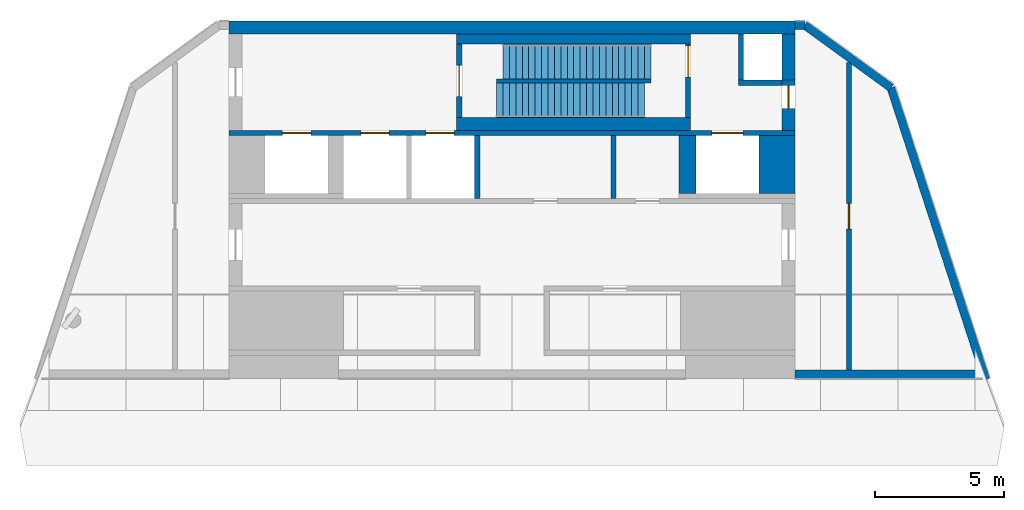
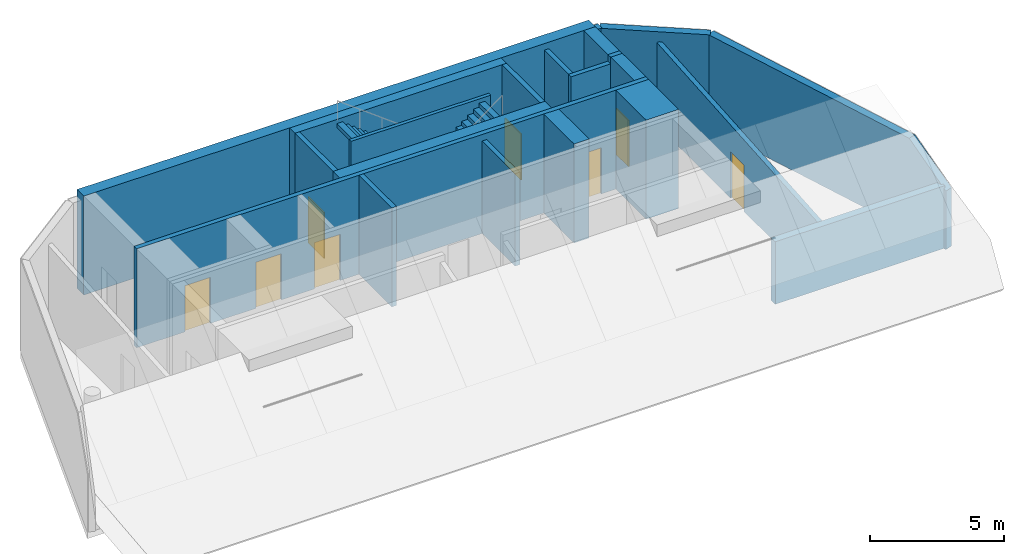
# One storey, part 2 of 3: 21 walls, 8 doors, 2 stair flights, 8 openings, 2 elements without a shape of their own.
"""IFC4 building model written with IfcOpenShell, lengths in metres."""

from ifc_helpers import new_model, si_unit, direction, frame, frame_2d, origin, place, context, subcontext, project, spatial, polyline, rectangle, outline, extrude, material, layer, layer_set, type_object, element, fill, aggregate, save


model = new_model("IFC4")

# Units and contexts
model_context = context("Model", 3, precision=1e-05, world=origin(), true_north=direction((0.0, 1.0)))
body_context = subcontext(model_context, "Body", "Model", "MODEL_VIEW")
ifc_project = project(units=[si_unit("LENGTHUNIT", "METRE"), si_unit("AREAUNIT", "SQUARE_METRE"), si_unit("VOLUMEUNIT", "CUBIC_METRE"), si_unit("PLANEANGLEUNIT", "RADIAN"), si_unit("MASSUNIT", "GRAM", prefix="KILO")], contexts=[model_context])

# Site, building, storey
site_placement = place(None, origin())
site = spatial("IfcSite", under=ifc_project, at=site_placement, CompositionType="ELEMENT")
building_placement = place(site_placement, origin())
building = spatial("IfcBuilding", under=site, at=building_placement, Name="White Candle Pilgrim Tower", CompositionType="ELEMENT")
storey_placement = place(building_placement, frame((0.0, 0.0, 346.699951171875)))
storey = spatial("IfcBuildingStorey", under=building, at=storey_placement, Name="L81", CompositionType="ELEMENT", Elevation=346.699951171875)

# Wall
ifc_material_1 = material(Name="Concrete C40/50", Category="concrete")
ifc_layer_1 = layer(ifc_material_1, 1.39990234375)
ifc_layer_set_1 = layer_set([ifc_layer_1], Name="Core wall 1400 mm Concrete C40/50")
wall_type_1 = type_object("IfcWallType", Name="Core wall 1400 mm Concrete C40/50", PredefinedType="SHEAR", material=ifc_layer_set_1)
wall_1_placement = place(storey_placement, frame((80.300048828125, 81.300048828125, 0.0), z_axis=(0.0, 0.0, 1.0), x_axis=(0.0, 1.0, 0.0)))
element("IfcWall", 1, at=wall_1_placement, inside=storey, type_object=wall_type_1, Name="WL-L81-C22", PredefinedType="SHEAR", context=body_context, shape_type="SweptSolid", body=[
    extrude(rectangle(XDim=2.25, YDim=1.39990234375, at=frame_2d((1.125, 0.0))), origin(), (0.0, 0.0, 1.0), 4.5),
])

# Wall, openings, doors
ifc_layer_2 = layer(ifc_material_1, 0.199951171875)
ifc_layer_set_2 = layer_set([ifc_layer_2], Name="Core wall 200 mm Concrete C40/50")
wall_type_2 = type_object("IfcWallType", Name="Core wall 200 mm Concrete C40/50", PredefinedType="SHEAR", material=ifc_layer_set_2)
wall_2_placement = place(storey_placement, frame((59.0, 83.64990234375, 0.0), z_axis=(0.0, 0.0, 1.0), x_axis=(1.0, 0.0, 0.0)))
wall_2 = element("IfcWall", 2, at=wall_2_placement, inside=storey, type_object=wall_type_2, Name="WL-L81-C23", PredefinedType="SHEAR", context=body_context, shape_type="SweptSolid", body=[
    extrude(rectangle(XDim=22.0, YDim=0.199951171875, at=frame_2d((11.0, 0.0))), origin(), (0.0, 0.0, 1.0), 4.5),
])
opening_1_placement = place(wall_2_placement, frame((5.125, 0.0, 0.0)))
opening_1 = element("IfcOpeningElement", 3, at=opening_1_placement, cuts=wall_2, Name="Opening L81-007", PredefinedType="OPENING", context=body_context, shape_type="SweptSolid", body=[
    extrude(rectangle(XDim=1.10009765625, YDim=2.10009765625, at=frame_2d((0.550048828125, 1.050048828125))), frame((0.0, 0.10986328125, 0.0), z_axis=(0.0, -1.0, 0.0), x_axis=(1.0, 0.0, 0.0)), (0.0, 0.0, 1.0), 0.219970703125),
])
opening_2_placement = place(wall_2_placement, frame((7.64990234375, 0.0, 0.0)))
opening_2 = element("IfcOpeningElement", 4, at=opening_2_placement, cuts=wall_2, Name="Opening L81-008", PredefinedType="OPENING", context=body_context, shape_type="SweptSolid", body=[
    extrude(rectangle(XDim=1.10009765625, YDim=2.10009765625, at=frame_2d((0.550048828125, 1.050048828125))), frame((0.0, 0.10986328125, 0.0), z_axis=(0.0, -1.0, 0.0), x_axis=(1.0, 0.0, 0.0)), (0.0, 0.0, 1.0), 0.219970703125),
])
opening_3_placement = place(wall_2_placement, frame((18.77490234375, 0.0, 0.0)))
opening_3 = element("IfcOpeningElement", 5, at=opening_3_placement, cuts=wall_2, Name="Opening L81-009", PredefinedType="OPENING", context=body_context, shape_type="SweptSolid", body=[
    extrude(rectangle(XDim=1.199951171875, YDim=2.10009765625, at=frame_2d((0.60009765625, 1.050048828125))), frame((0.0, 0.10986328125, 0.0), z_axis=(0.0, -1.0, 0.0), x_axis=(1.0, 0.0, 0.0)), (0.0, 0.0, 1.0), 0.219970703125),
])
opening_4_placement = place(wall_2_placement, frame((2.074951171875, 0.0, 0.0)))
opening_4 = element("IfcOpeningElement", 6, at=opening_4_placement, cuts=wall_2, Name="Opening L81-010", PredefinedType="OPENING", context=body_context, shape_type="SweptSolid", body=[
    extrude(rectangle(XDim=1.10009765625, YDim=2.10009765625, at=frame_2d((0.550048828125, 1.050048828125))), frame((0.0, 0.10986328125, 0.0), z_axis=(0.0, -1.0, 0.0), x_axis=(1.0, 0.0, 0.0)), (0.0, 0.0, 1.0), 0.219970703125),
])
ifc_material_2 = material(Name="Stainless steel", Category="steel")
door_type_1 = type_object("IfcDoorType", Name="Lift landing door 1100 x 2100 EI 60", OperationType="DOUBLE_DOOR_SLIDING", PredefinedType="DOOR", material=ifc_material_2)
door_1_placement = place(opening_1_placement, origin())
door_1 = element("IfcDoor", 7, at=door_1_placement, inside=storey, type_object=door_type_1, Name="Door L81-007", OperationType="DOUBLE_DOOR_SLIDING", OverallHeight=2.10009765625, OverallWidth=1.10009765625, PredefinedType="DOOR", context=body_context, shape_type="SweptSolid", body=[
    extrude(rectangle(XDim=1.10009765625, YDim=2.10009765625, at=frame_2d((0.550048828125, 1.050048828125))), frame((0.0, 0.02490234375, 0.0), z_axis=(0.0, -1.0, 0.0), x_axis=(1.0, 0.0, 0.0)), (0.0, 0.0, 1.0), 0.050048828125),
])
fill(opening_1, door_1)
door_2_placement = place(opening_2_placement, origin())
door_2 = element("IfcDoor", 8, at=door_2_placement, inside=storey, type_object=door_type_1, Name="Door L81-008", OperationType="DOUBLE_DOOR_SLIDING", OverallHeight=2.10009765625, OverallWidth=1.10009765625, PredefinedType="DOOR", context=body_context, shape_type="SweptSolid", body=[
    extrude(rectangle(XDim=1.10009765625, YDim=2.10009765625, at=frame_2d((0.550048828125, 1.050048828125))), frame((0.0, 0.02490234375, 0.0), z_axis=(0.0, -1.0, 0.0), x_axis=(1.0, 0.0, 0.0)), (0.0, 0.0, 1.0), 0.050048828125),
])
fill(opening_2, door_2)
door_3_placement = place(opening_4_placement, origin())
door_3 = element("IfcDoor", 9, at=door_3_placement, inside=storey, type_object=door_type_1, Name="Door L81-010", OperationType="DOUBLE_DOOR_SLIDING", OverallHeight=2.10009765625, OverallWidth=1.10009765625, PredefinedType="DOOR", context=body_context, shape_type="SweptSolid", body=[
    extrude(rectangle(XDim=1.10009765625, YDim=2.10009765625, at=frame_2d((0.550048828125, 1.050048828125))), frame((0.0, 0.02490234375, 0.0), z_axis=(0.0, -1.0, 0.0), x_axis=(1.0, 0.0, 0.0)), (0.0, 0.0, 1.0), 0.050048828125),
])
fill(opening_4, door_3)
door_type_2 = type_object("IfcDoorType", Name="Lift landing door 1200 x 2100 E 60", OperationType="DOUBLE_DOOR_SLIDING", PredefinedType="DOOR", material=ifc_material_2)
door_4_placement = place(opening_3_placement, origin())
door_4 = element("IfcDoor", 10, at=door_4_placement, inside=storey, type_object=door_type_2, Name="Door L81-009", OperationType="DOUBLE_DOOR_SLIDING", OverallHeight=2.10009765625, OverallWidth=1.199951171875, PredefinedType="DOOR", context=body_context, shape_type="SweptSolid", body=[
    extrude(rectangle(XDim=1.199951171875, YDim=2.10009765625, at=frame_2d((0.60009765625, 1.050048828125))), frame((0.0, 0.02490234375, 0.0), z_axis=(0.0, -1.0, 0.0), x_axis=(1.0, 0.0, 0.0)), (0.0, 0.0, 1.0), 0.050048828125),
])
fill(opening_3, door_4)

# Wall
wall_3_placement = place(storey_placement, frame((80.5, 85.60009765625, 0.0), z_axis=(0.0, 0.0, 1.0), x_axis=(1.0, 0.0, 0.0)))
element("IfcWall", 11, at=wall_3_placement, inside=storey, type_object=wall_type_2, Name="WL-L81-C30", PredefinedType="SHEAR", context=body_context, shape_type="SweptSolid", body=[
    extrude(rectangle(XDim=0.5, YDim=0.199951171875, at=frame_2d((0.25, 0.0))), origin(), (0.0, 0.0, 1.0), 4.5),
])

# Wall, opening, door
ifc_layer_3 = layer(ifc_material_1, 0.5)
ifc_layer_set_3 = layer_set([ifc_layer_3], Name="Core wall 500 mm Concrete C40/50")
wall_type_3 = type_object("IfcWallType", Name="Core wall 500 mm Concrete C40/50", PredefinedType="SHEAR", material=ifc_layer_set_3)
wall_4_placement = place(storey_placement, frame((80.75, 83.75, 0.0), z_axis=(0.0, 0.0, 1.0), x_axis=(0.0, 1.0, 0.0)))
wall_4 = element("IfcWall", 12, at=wall_4_placement, inside=storey, type_object=wall_type_3, Name="WL-L81-C26", PredefinedType="SHEAR", context=body_context, shape_type="SweptSolid", body=[
    extrude(rectangle(XDim=1.75, YDim=0.5, at=frame_2d((0.875, 0.0))), origin(), (0.0, 0.0, 1.0), 4.5),
])
opening_5_placement = place(wall_4_placement, frame((0.840087890625, 0.0, 0.0)))
opening_5 = element("IfcOpeningElement", 13, at=opening_5_placement, cuts=wall_4, Name="Opening L81-006", PredefinedType="OPENING", context=body_context, shape_type="SweptSolid", body=[
    extrude(rectangle(XDim=0.89990234375, YDim=2.10009765625, at=frame_2d((0.449951171875, 1.050048828125))), frame((0.0, 0.260009765625, 0.0), z_axis=(0.0, -1.0, 0.0), x_axis=(1.0, 0.0, 0.0)), (0.0, 0.0, 1.0), 0.52001953125),
])
ifc_material_3 = material(Name="Steel door leaf", Category="steel")
door_type_3 = type_object("IfcDoorType", Name="Fire door 900 x 2100 EI 30", OperationType="NOTDEFINED", PredefinedType="DOOR", material=ifc_material_3)
door_5_placement = place(opening_5_placement, origin())
door_5 = element("IfcDoor", 14, at=door_5_placement, inside=storey, type_object=door_type_3, Name="Door L81-006", OperationType="SINGLE_SWING_LEFT", OverallHeight=2.10009765625, OverallWidth=0.89990234375, PredefinedType="DOOR", context=body_context, shape_type="SweptSolid", body=[
    extrude(rectangle(XDim=0.89990234375, YDim=2.10009765625, at=frame_2d((0.449951171875, 1.050048828125))), frame((0.0, 0.02490234375, 0.0), z_axis=(0.0, -1.0, 0.0), x_axis=(1.0, 0.0, 0.0)), (0.0, 0.0, 1.0), 0.050048828125),
])
fill(opening_5, door_5)

# Walls
wall_5_placement = place(storey_placement, frame((80.75, 85.699951171875, 0.0), z_axis=(0.0, 0.0, 1.0), x_axis=(0.0, 1.0, 0.0)))
element("IfcWall", 15, at=wall_5_placement, inside=storey, type_object=wall_type_3, Name="WL-L81-C33", PredefinedType="SHEAR", context=body_context, shape_type="SweptSolid", body=[
    extrude(rectangle(XDim=1.800048828125, YDim=0.5, at=frame_2d((0.89990234375, 0.0))), origin(), (0.0, 0.0, 1.0), 4.5),
])
wall_6_placement = place(storey_placement, frame((59.0, 87.75, 0.0), z_axis=(0.0, 0.0, 1.0), x_axis=(1.0, 0.0, 0.0)))
element("IfcWall", 16, at=wall_6_placement, inside=storey, type_object=wall_type_3, Name="WL-L81-C35", PredefinedType="SHEAR", context=body_context, shape_type="SweptSolid", body=[
    extrude(rectangle(XDim=22.0, YDim=0.5, at=frame_2d((11.0, 0.0))), origin(), (0.0, 0.0, 1.0), 4.5),
])

# Wall, opening, door
ifc_material_4 = material(Name="Gypsum board on steel studs", Category="steel")
ifc_layer_4 = layer(ifc_material_4, 0.199951171875)
ifc_layer_set_4 = layer_set([ifc_layer_4], Name="Corridor wall 200 mm EI 45")
wall_type_4 = type_object("IfcWallType", Name="Corridor wall 200 mm EI 45", PredefinedType="PARTITIONING", material=ifc_layer_set_4)
wall_7_placement = place(storey_placement, frame((83.10009765625, 86.396240234375, 0.0), z_axis=(0.0, 0.0, 1.0), x_axis=(0.0, -1.0, 0.0)))
wall_7 = element("IfcWall", 17, at=wall_7_placement, inside=storey, type_object=wall_type_4, Name="WL-L81-P002", PredefinedType="PARTITIONING", context=body_context, shape_type="SweptSolid", body=[
    extrude(outline(polyline([(0.0, 0.0), (11.967529296875, 0.0), (11.967529296875, 2.83349609375), (0.0, 3.75), (0.0, 0.0)])), frame((0.0, 0.10009765625, 0.0), z_axis=(0.0, -1.0, 0.0), x_axis=(1.0, 0.0, 0.0)), (0.0, 0.0, 1.0), 0.199951171875),
])
opening_6_placement = place(wall_7_placement, frame((5.48388671875, 0.0, 0.0)))
opening_6 = element("IfcOpeningElement", 18, at=opening_6_placement, cuts=wall_7, Name="Opening L81-102", PredefinedType="OPENING", context=body_context, shape_type="SweptSolid", body=[
    extrude(rectangle(XDim=1.0, YDim=2.10009765625, at=frame_2d((0.5, 1.050048828125))), frame((0.0, 0.10986328125, 0.0), z_axis=(0.0, -1.0, 0.0), x_axis=(1.0, 0.0, 0.0)), (0.0, 0.0, 1.0), 0.219970703125),
])
door_type_4 = type_object("IfcDoorType", Name="Fire door 1000 x 2100 EI 30", OperationType="NOTDEFINED", PredefinedType="DOOR", material=ifc_material_3)
door_6_placement = place(opening_6_placement, origin())
door_6 = element("IfcDoor", 19, at=door_6_placement, inside=storey, type_object=door_type_4, Name="Door L81-102", OperationType="SINGLE_SWING_RIGHT", OverallHeight=2.10009765625, OverallWidth=1.0, PredefinedType="DOOR", context=body_context, shape_type="SweptSolid", body=[
    extrude(rectangle(XDim=1.0, YDim=2.10009765625, at=frame_2d((0.5, 1.050048828125))), frame((0.0, 0.02490234375, 0.0), z_axis=(0.0, -1.0, 0.0), x_axis=(1.0, 0.0, 0.0)), (0.0, 0.0, 1.0), 0.050048828125),
])
fill(opening_6, door_6)

# Walls
ifc_material_5 = material(Name="Precast concrete C40/50", Category="concrete")
ifc_layer_5 = layer(ifc_material_5, 0.320068359375)
ifc_layer_set_5 = layer_set([ifc_layer_5], Name="Facade wall EW4 precast concrete C40/50 crown wall with zinc cladding")
wall_type_5 = type_object("IfcWallType", Name="Facade wall EW4 precast concrete C40/50 crown wall with zinc cladding", PredefinedType="SOLIDWALL", material=ifc_layer_set_5)
wall_8_placement = place(storey_placement, frame((88.425537109375, 74.05908203125, 0.0), z_axis=(0.0, 0.0, 1.0), x_axis=(-0.309021736923, 0.951054975335, 0.0)))
element("IfcWall", 20, at=wall_8_placement, inside=storey, type_object=wall_type_5, Name="Crown wall L81 ENE", PredefinedType="SOLIDWALL", context=body_context, shape_type="SweptSolid", body=[
    extrude(outline(polyline([(0.0, 0.0), (11.92724609375, 0.0), (11.92724609375, 4.199951171875), (1.833251953125, 4.199951171875), (0.0, 2.65625), (0.0, 0.0)])), frame((0.0, 0.16015625, 0.0), z_axis=(0.0, -1.0, 0.0), x_axis=(1.0, 0.0, 0.0)), (0.0, 0.0, 1.0), 0.320068359375),
])
wall_9_placement = place(storey_placement, frame((84.73974609375, 85.402587890625, 0.0), z_axis=(0.0, 0.0, 1.0), x_axis=(-0.80900078054, 0.587807568074, 0.0)))
element("IfcWall", 21, at=wall_9_placement, inside=storey, type_object=wall_type_5, Name="Crown wall L81 NE chamfer", PredefinedType="SOLIDWALL", context=body_context, shape_type="SweptSolid", body=[
    extrude(rectangle(XDim=4.146728515625, YDim=0.320068359375, at=frame_2d((2.0732421875, 0.0))), origin(), (0.0, 0.0, 1.0), 4.199951171875),
])
wall_10_placement = place(storey_placement, frame((81.385009765625, 87.840087890625, 0.0), z_axis=(0.0, 0.0, 1.0), x_axis=(-1.0, 0.0, 0.0)))
element("IfcWall", 22, at=wall_10_placement, inside=storey, type_object=wall_type_5, Name="Crown wall L81 N", PredefinedType="SOLIDWALL", context=body_context, shape_type="SweptSolid", body=[
    extrude(rectangle(XDim=0.385009765625, YDim=0.320068359375, at=frame_2d((0.1923828125, 0.0))), origin(), (0.0, 0.0, 1.0), 4.199951171875),
])
wall_11_placement = place(storey_placement, frame((81.0, 74.2685546875, 0.0), z_axis=(0.0, 0.0, 1.0), x_axis=(1.0, 0.0, 0.0)))
element("IfcWall", 23, at=wall_11_placement, inside=storey, type_object=wall_type_5, Name="Crown wall L81 S", PredefinedType="SOLIDWALL", context=body_context, shape_type="SweptSolid", body=[
    extrude(rectangle(XDim=7.28369140625, YDim=0.320068359375, at=frame_2d((3.641845703125, 0.0))), origin(), (0.0, 0.0, 1.0), 2.841796875),
])
ifc_material_6 = material(Name="Aerated concrete block", Category="concrete")
ifc_layer_6 = layer(ifc_material_6, 0.199951171875)
ifc_layer_set_6 = layer_set([ifc_layer_6], Name="Lift shaft wall 200 mm REI 240")
wall_type_6 = type_object("IfcWallType", Name="Lift shaft wall 200 mm REI 240", PredefinedType="PARTITIONING", material=ifc_layer_set_6)
wall_12_placement = place(storey_placement, frame((78.800048828125, 85.60009765625, 0.0), z_axis=(0.0, 0.0, 1.0), x_axis=(1.0, 0.0, 0.0)))
element("IfcWall", 24, at=wall_12_placement, inside=storey, type_object=wall_type_6, Name="WL-L81-C29", PredefinedType="PARTITIONING", context=body_context, shape_type="SweptSolid", body=[
    extrude(rectangle(XDim=1.699951171875, YDim=0.199951171875, at=frame_2d((0.85009765625, 0.0))), origin(), (0.0, 0.0, 1.0), 4.199951171875),
])
wall_13_placement = place(storey_placement, frame((78.89990234375, 85.699951171875, 0.0), z_axis=(0.0, 0.0, 1.0), x_axis=(0.0, 1.0, 0.0)))
element("IfcWall", 25, at=wall_13_placement, inside=storey, type_object=wall_type_6, Name="WL-L81-C32", PredefinedType="PARTITIONING", context=body_context, shape_type="SweptSolid", body=[
    extrude(rectangle(XDim=1.800048828125, YDim=0.199951171875, at=frame_2d((0.89990234375, 0.0))), origin(), (0.0, 0.0, 1.0), 4.199951171875),
])
ifc_layer_7 = layer(ifc_material_4, 0.199951171875)
ifc_layer_set_7 = layer_set([ifc_layer_7], Name="Lobby wall 200 mm EI 60")
wall_type_7 = type_object("IfcWallType", Name="Lobby wall 200 mm EI 60", PredefinedType="PARTITIONING", material=ifc_layer_set_7)
wall_14_placement = place(storey_placement, frame((73.949951171875, 81.10009765625, 0.0), z_axis=(0.0, 0.0, 1.0), x_axis=(0.0, 1.0, 0.0)))
element("IfcWall", 26, at=wall_14_placement, inside=storey, type_object=wall_type_7, Name="WL-L81-C17", PredefinedType="PARTITIONING", context=body_context, shape_type="SweptSolid", body=[
    extrude(rectangle(XDim=2.449951171875, YDim=0.199951171875, at=frame_2d((1.22509765625, 0.0))), origin(), (0.0, 0.0, 1.0), 4.199951171875),
])
ifc_layer_8 = layer(ifc_material_1, 0.199951171875)
ifc_layer_set_8 = layer_set([ifc_layer_8], Name="Shaft wall 200 mm Concrete C40/50")
wall_type_8 = type_object("IfcWallType", Name="Shaft wall 200 mm Concrete C40/50", PredefinedType="SHEAR", material=ifc_layer_set_8)
wall_15_placement = place(storey_placement, frame((68.64990234375, 81.10009765625, 0.0), z_axis=(0.0, 0.0, 1.0), x_axis=(0.0, 1.0, 0.0)))
element("IfcWall", 27, at=wall_15_placement, inside=storey, type_object=wall_type_8, Name="WL-L81-C16", PredefinedType="SHEAR", context=body_context, shape_type="SweptSolid", body=[
    extrude(rectangle(XDim=2.449951171875, YDim=0.199951171875, at=frame_2d((1.22509765625, 0.0))), origin(), (0.0, 0.0, 1.0), 4.5),
])
ifc_layer_9 = layer(ifc_material_1, 0.64990234375)
ifc_layer_set_9 = layer_set([ifc_layer_9], Name="Shaft wall 650 mm Concrete C40/50")
wall_type_9 = type_object("IfcWallType", Name="Shaft wall 650 mm Concrete C40/50", PredefinedType="SHEAR", material=ifc_layer_set_9)
wall_16_placement = place(storey_placement, frame((76.824951171875, 81.300048828125, 0.0), z_axis=(0.0, 0.0, 1.0), x_axis=(0.0, 1.0, 0.0)))
element("IfcWall", 28, at=wall_16_placement, inside=storey, type_object=wall_type_9, Name="WL-L81-C21", PredefinedType="SHEAR", context=body_context, shape_type="SweptSolid", body=[
    extrude(rectangle(XDim=2.25, YDim=0.64990234375, at=frame_2d((1.125, 0.0))), origin(), (0.0, 0.0, 1.0), 4.5),
])
ifc_layer_10 = layer(ifc_material_1, 0.14990234375)
ifc_layer_set_10 = layer_set([ifc_layer_10], Name="Stair shaft wall 150 mm Concrete C40/50")
wall_type_10 = type_object("IfcWallType", Name="Stair shaft wall 150 mm Concrete C40/50", PredefinedType="SHEAR", material=ifc_layer_set_10)
wall_17_placement = place(storey_placement, frame((69.39990234375, 85.675048828125, 0.0), z_axis=(0.0, 0.0, 1.0), x_axis=(1.0, 0.0, 0.0)))
element("IfcWall", 29, at=wall_17_placement, inside=storey, type_object=wall_type_10, Name="WL-L81-C31", PredefinedType="SHEAR", context=body_context, shape_type="SweptSolid", body=[
    extrude(rectangle(XDim=6.0, YDim=0.14990234375, at=frame_2d((3.0, 0.0))), origin(), (0.0, 0.0, 1.0), 4.5),
])

# Wall, opening, door
ifc_layer_11 = layer(ifc_material_1, 0.199951171875)
ifc_layer_set_11 = layer_set([ifc_layer_11], Name="Stair shaft wall 200 mm Concrete C40/50")
wall_type_11 = type_object("IfcWallType", Name="Stair shaft wall 200 mm Concrete C40/50", PredefinedType="SHEAR", material=ifc_layer_set_11)
wall_18_placement = place(storey_placement, frame((67.949951171875, 84.25, 0.0), z_axis=(0.0, 0.0, 1.0), x_axis=(0.0, 1.0, 0.0)))
wall_18 = element("IfcWall", 30, at=wall_18_placement, inside=storey, type_object=wall_type_11, Name="WL-L81-C27", PredefinedType="SHEAR", context=body_context, shape_type="SweptSolid", body=[
    extrude(rectangle(XDim=2.85009765625, YDim=0.199951171875, at=frame_2d((1.425048828125, 0.0))), origin(), (0.0, 0.0, 1.0), 4.5),
])
opening_7_placement = place(wall_18_placement, frame((0.824951171875, 0.0, 0.0)))
opening_7 = element("IfcOpeningElement", 31, at=opening_7_placement, cuts=wall_18, Name="Opening L81-001", PredefinedType="OPENING", context=body_context, shape_type="SweptSolid", body=[
    extrude(rectangle(XDim=1.199951171875, YDim=2.10009765625, at=frame_2d((0.60009765625, 1.050048828125))), frame((0.0, 0.10986328125, 0.0), z_axis=(0.0, -1.0, 0.0), x_axis=(1.0, 0.0, 0.0)), (0.0, 0.0, 1.0), 0.219970703125),
])
door_type_5 = type_object("IfcDoorType", Name="Fire door 1200 x 2100 EI 60", OperationType="NOTDEFINED", PredefinedType="DOOR", material=ifc_material_3)
door_7_placement = place(opening_7_placement, frame((1.199951171875, 0.0, 0.0), z_axis=(0.0, 0.0, 1.0), x_axis=(-1.0, 0.0, 0.0)))
door_7 = element("IfcDoor", 32, at=door_7_placement, inside=storey, type_object=door_type_5, Name="Door L81-001", OperationType="SINGLE_SWING_RIGHT", OverallHeight=2.10009765625, OverallWidth=1.199951171875, PredefinedType="DOOR", context=body_context, shape_type="SweptSolid", body=[
    extrude(rectangle(XDim=1.199951171875, YDim=2.10009765625, at=frame_2d((0.60009765625, 1.050048828125))), frame((0.0, 0.02490234375, 0.0), z_axis=(0.0, -1.0, 0.0), x_axis=(1.0, 0.0, 0.0)), (0.0, 0.0, 1.0), 0.050048828125),
])
fill(opening_7, door_7)

wall_19_placement = place(storey_placement, frame((76.85009765625, 84.25, 0.0), z_axis=(0.0, 0.0, 1.0), x_axis=(0.0, 1.0, 0.0)))
wall_19 = element("IfcWall", 33, at=wall_19_placement, inside=storey, type_object=wall_type_11, Name="WL-L81-C28", PredefinedType="SHEAR", context=body_context, shape_type="SweptSolid", body=[
    extrude(rectangle(XDim=2.85009765625, YDim=0.199951171875, at=frame_2d((1.425048828125, 0.0))), origin(), (0.0, 0.0, 1.0), 4.5),
])
opening_8_placement = place(wall_19_placement, frame((1.574951171875, 0.0, 0.0)))
opening_8 = element("IfcOpeningElement", 34, at=opening_8_placement, cuts=wall_19, Name="Opening L81-002", PredefinedType="OPENING", context=body_context, shape_type="SweptSolid", body=[
    extrude(rectangle(XDim=1.199951171875, YDim=2.10009765625, at=frame_2d((0.60009765625, 1.050048828125))), frame((0.0, 0.10986328125, 0.0), z_axis=(0.0, -1.0, 0.0), x_axis=(1.0, 0.0, 0.0)), (0.0, 0.0, 1.0), 0.219970703125),
])
door_8_placement = place(opening_8_placement, origin())
door_8 = element("IfcDoor", 35, at=door_8_placement, inside=storey, type_object=door_type_5, Name="Door L81-002", OperationType="SINGLE_SWING_RIGHT", OverallHeight=2.10009765625, OverallWidth=1.199951171875, PredefinedType="DOOR", context=body_context, shape_type="SweptSolid", body=[
    extrude(rectangle(XDim=1.199951171875, YDim=2.10009765625, at=frame_2d((0.60009765625, 1.050048828125))), frame((0.0, 0.02490234375, 0.0), z_axis=(0.0, -1.0, 0.0), x_axis=(1.0, 0.0, 0.0)), (0.0, 0.0, 1.0), 0.050048828125),
])
fill(opening_8, door_8)

# Walls
ifc_layer_12 = layer(ifc_material_1, 0.39990234375)
ifc_layer_set_12 = layer_set([ifc_layer_12], Name="Stair shaft wall 400 mm Concrete C40/50")
wall_type_12 = type_object("IfcWallType", Name="Stair shaft wall 400 mm Concrete C40/50", PredefinedType="SHEAR", material=ifc_layer_set_12)
wall_20_placement = place(storey_placement, frame((67.85009765625, 87.300048828125, 0.0), z_axis=(0.0, 0.0, 1.0), x_axis=(1.0, 0.0, 0.0)))
element("IfcWall", 36, at=wall_20_placement, inside=storey, type_object=wall_type_12, Name="WL-L81-C34", PredefinedType="SHEAR", context=body_context, shape_type="SweptSolid", body=[
    extrude(rectangle(XDim=9.099853515625, YDim=0.39990234375, at=frame_2d((4.5498046875, 0.0))), origin(), (0.0, 0.0, 1.0), 4.5),
])
ifc_layer_13 = layer(ifc_material_1, 0.5)
ifc_layer_set_13 = layer_set([ifc_layer_13], Name="Stair shaft wall 500 mm Concrete C40/50")
wall_type_13 = type_object("IfcWallType", Name="Stair shaft wall 500 mm Concrete C40/50", PredefinedType="SHEAR", material=ifc_layer_set_13)
wall_21_placement = place(storey_placement, frame((67.85009765625, 84.0, 0.0), z_axis=(0.0, 0.0, 1.0), x_axis=(1.0, 0.0, 0.0)))
element("IfcWall", 37, at=wall_21_placement, inside=storey, type_object=wall_type_13, Name="WL-L81-C25", PredefinedType="SHEAR", context=body_context, shape_type="SweptSolid", body=[
    extrude(rectangle(XDim=9.099853515625, YDim=0.5, at=frame_2d((4.5498046875, 0.0))), origin(), (0.0, 0.0, 1.0), 4.5),
])

# Stair, stair flight
stair_type = type_object("IfcStairType", Name="Exit stair 12 flight width 1350 mm", PredefinedType="STRAIGHT_RUN_STAIR", material=ifc_material_1)
stair_1_placement = place(storey_placement, origin())
stair_1 = element("IfcStair", 38, at=stair_1_placement, inside=storey, type_object=stair_type, Name="L81 stair 12 A", PredefinedType="NOTDEFINED")
ifc_layer_14 = layer(ifc_material_1, 0.14990234375)
ifc_layer_set_14 = layer_set([ifc_layer_14], Name="Stair flight Concrete C40/50")
stair_flight_type = type_object("IfcStairFlightType", Name="Stair flight Concrete C40/50", PredefinedType="STRAIGHT", material=ifc_layer_set_14)
stair_flight_1_placement = place(storey_placement, frame((69.39990234375, 84.925048828125, 0.0), z_axis=(0.0, 0.0, 1.0), x_axis=(1.0, 0.0, 0.0)))
stair_flight_1 = element("IfcStairFlight", 39, at=stair_flight_1_placement, type_object=stair_flight_type, Name="ST12A flight 1", NumberOfRisers=24, NumberOfTreads=23, PredefinedType="NOTDEFINED", RiserHeight=0.1875, TreadLength=0.25, context=body_context, shape_type="SweptSolid", body=[
    extrude(outline(polyline([(0.0, 0.0), (0.0, 0.1875), (0.25, 0.1875), (0.25, 0.375), (0.5, 0.375), (0.5, 0.5625), (0.75, 0.5625), (0.75, 0.75), (1.0, 0.75), (1.0, 0.9375), (1.25, 0.9375), (1.25, 1.125), (1.5, 1.125), (1.5, 1.3125), (1.75, 1.3125), (1.75, 1.5), (2.0, 1.5), (2.0, 1.6875), (2.25, 1.6875), (2.25, 1.875), (2.5, 1.875), (2.5, 2.0625), (2.75, 2.0625), (2.75, 2.25), (3.0, 2.25), (3.0, 2.4375), (3.25, 2.4375), (3.25, 2.625), (3.5, 2.625), (3.5, 2.8125), (3.75, 2.8125), (3.75, 3.0), (4.0, 3.0), (4.0, 3.1875), (4.25, 3.1875), (4.25, 3.375), (4.5, 3.375), (4.5, 3.5625), (4.75, 3.5625), (4.75, 3.75), (5.0, 3.75), (5.0, 3.9375), (5.25, 3.9375), (5.25, 4.125), (5.5, 4.125), (5.5, 4.3125), (5.75, 4.3125), (5.75, 4.5), (5.75, 4.125), (0.249755859375, 0.0), (0.0, 0.0)])), frame((0.0, 0.675048828125, 0.0), z_axis=(0.0, -1.0, 0.0), x_axis=(1.0, 0.0, 0.0)), (0.0, 0.0, 1.0), 1.35009765625),
])
aggregate(stair_1, [stair_flight_1])

stair_2_placement = place(storey_placement, origin())
stair_2 = element("IfcStair", 40, at=stair_2_placement, inside=storey, type_object=stair_type, Name="L81 stair 12 B", PredefinedType="NOTDEFINED")
stair_flight_2_placement = place(storey_placement, frame((75.39990234375, 86.425048828125, 0.0), z_axis=(0.0, 0.0, 1.0), x_axis=(-1.0, 0.0, 0.0)))
stair_flight_2 = element("IfcStairFlight", 41, at=stair_flight_2_placement, type_object=stair_flight_type, Name="ST12B flight 1", NumberOfRisers=24, NumberOfTreads=23, PredefinedType="NOTDEFINED", RiserHeight=0.1875, TreadLength=0.25, context=body_context, shape_type="SweptSolid", body=[
    extrude(outline(polyline([(0.0, 0.0), (0.0, 0.1875), (0.25, 0.1875), (0.25, 0.375), (0.5, 0.375), (0.5, 0.5625), (0.75, 0.5625), (0.75, 0.75), (1.0, 0.75), (1.0, 0.9375), (1.25, 0.9375), (1.25, 1.125), (1.5, 1.125), (1.5, 1.3125), (1.75, 1.3125), (1.75, 1.5), (2.0, 1.5), (2.0, 1.6875), (2.25, 1.6875), (2.25, 1.875), (2.5, 1.875), (2.5, 2.0625), (2.75, 2.0625), (2.75, 2.25), (3.0, 2.25), (3.0, 2.4375), (3.25, 2.4375), (3.25, 2.625), (3.5, 2.625), (3.5, 2.8125), (3.75, 2.8125), (3.75, 3.0), (4.0, 3.0), (4.0, 3.1875), (4.25, 3.1875), (4.25, 3.375), (4.5, 3.375), (4.5, 3.5625), (4.75, 3.5625), (4.75, 3.75), (5.0, 3.75), (5.0, 3.9375), (5.25, 3.9375), (5.25, 4.125), (5.5, 4.125), (5.5, 4.3125), (5.75, 4.3125), (5.75, 4.5), (5.75, 4.125), (0.249755859375, 0.0), (0.0, 0.0)])), frame((0.0, 0.675048828125, 0.0), z_axis=(0.0, -1.0, 0.0), x_axis=(1.0, 0.0, 0.0)), (0.0, 0.0, 1.0), 1.35009765625),
])
aggregate(stair_2, [stair_flight_2])

save(model, "model.ifc")
